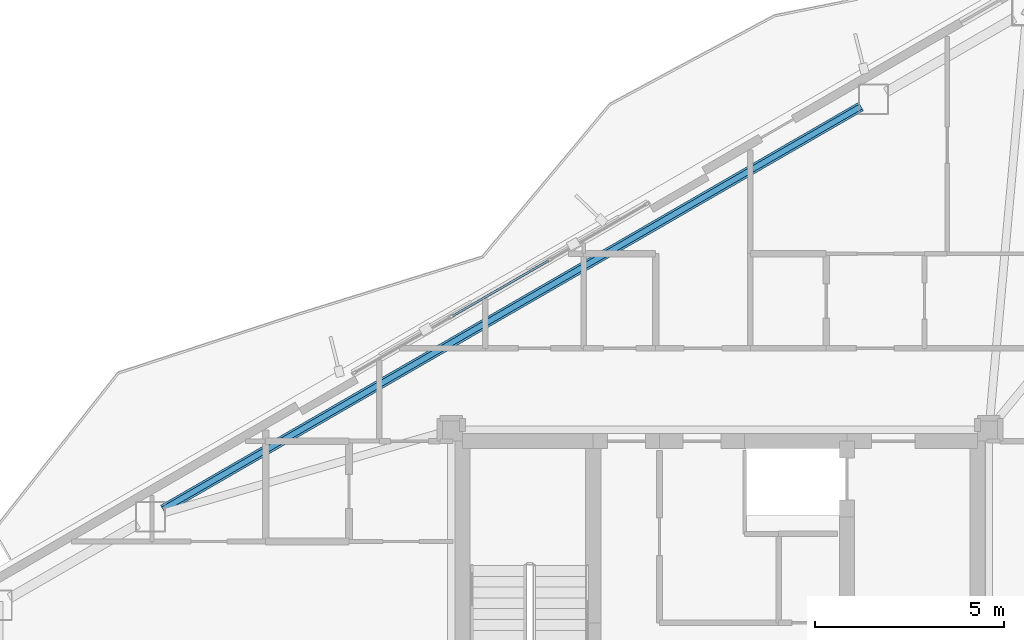
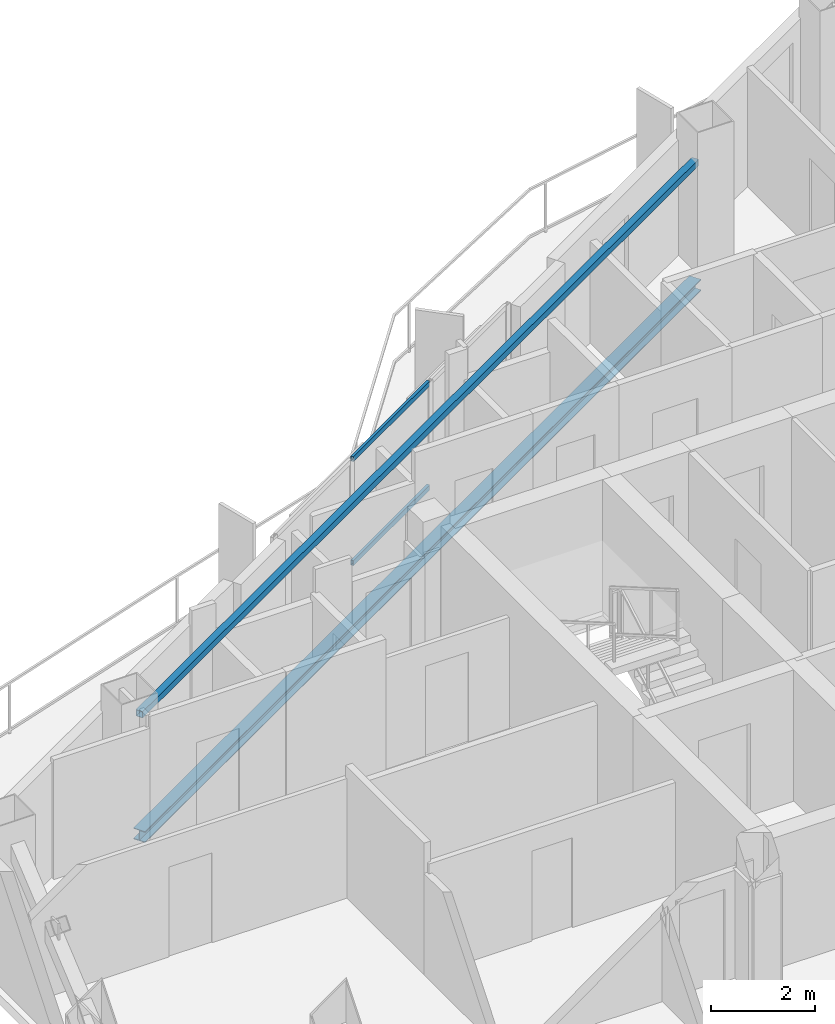
# One storey, part 9 of 22: 2 beams, 2 members, 1 element without a shape of its own.
"""IFC4 building model written with IfcOpenShell, lengths in metres."""

from ifc_helpers import new_model, si_unit, direction, frame, origin, origin_2d, place, context, subcontext, project, spatial, hollow_rectangle, i_section, extrude, material, layer, layer_set, material_profile, profile_set, type_object, element, aggregate, save


model = new_model("IFC4")

# Units and contexts
model_context = context("Model", 3, precision=1e-05, world=origin(), true_north=direction((0.0, 1.0)))
body_context = subcontext(model_context, "Body", "Model", "MODEL_VIEW")
ifc_project = project(units=[si_unit("LENGTHUNIT", "METRE"), si_unit("AREAUNIT", "SQUARE_METRE"), si_unit("VOLUMEUNIT", "CUBIC_METRE"), si_unit("PLANEANGLEUNIT", "RADIAN"), si_unit("MASSUNIT", "GRAM", prefix="KILO")], contexts=[model_context])

# Site, building, storey
site_placement = place(None, origin())
site = spatial("IfcSite", under=ifc_project, at=site_placement, CompositionType="ELEMENT")
building_placement = place(site_placement, origin())
building = spatial("IfcBuilding", under=site, at=building_placement, Name="Mersakhor Tower and Convention Hall", CompositionType="ELEMENT")
storey_placement = place(building_placement, frame((0.0, 0.0, 198.60009765625)))
storey = spatial("IfcBuildingStorey", under=building, at=storey_placement, Name="L55", CompositionType="ELEMENT", Elevation=198.60009765625)

# Beams
ifc_material_1 = material(Name="Steel S355", Category="steel")
ifc_material_profile_1 = material_profile(ifc_material_1, hollow_rectangle(XDim=0.14990234375, YDim=0.14990234375, WallThickness=0.010009765625, at=origin_2d()), Name="SHS 150x150x10")
ifc_profile_set_1 = profile_set([ifc_material_profile_1], Name="Steel S355")
beam_type_1 = type_object("IfcBeamType", Name="BM-GRT-SHS150", PredefinedType="USERDEFINED", material=ifc_profile_set_1)
beam_1_placement = place(storey_placement, frame((14.288818359375, 30.94482421875, 2.47998046875), z_axis=(0.866024569776, 0.500001444543, 0.0), x_axis=(-0.500001444543, 0.866024569776, 0.0)))
element("IfcBeam", 1, at=beam_1_placement, inside=storey, type_object=beam_type_1, Name="L55 Facade Support Girt GRT-F1", ObjectType="GIRT", PredefinedType="USERDEFINED", context=body_context, shape_type="SweptSolid", body=[
    extrude(hollow_rectangle(XDim=0.14990234375, YDim=0.14990234375, WallThickness=0.010009765625, at=origin_2d()), origin(), (0.0, 0.0, 1.0), 21.28564453125),
])
ifc_material_2 = material(Name="Steel S355", Category="steel")
ifc_material_profile_2 = material_profile(ifc_material_2, i_section(OverallWidth=0.25634765625, OverallDepth=0.26025390625, WebThickness=0.01025390625, FlangeThickness=0.017333984375, at=origin_2d()), Name="UC 254x254x89")
ifc_profile_set_2 = profile_set([ifc_material_profile_2], Name="Steel S355")
beam_type_2 = type_object("IfcBeamType", Name="BM-SPD-UC254", PredefinedType="SPANDREL", material=ifc_profile_set_2)
beam_2_placement = place(storey_placement, frame((14.288818359375, 30.94482421875, -0.360107421875), z_axis=(0.866024569776, 0.500001444543, 0.0), x_axis=(-0.500001444543, 0.866024569776, 0.0)))
element("IfcBeam", 2, at=beam_2_placement, inside=storey, type_object=beam_type_2, Name="L55 Perimeter Spandrel Beam SPB-02", PredefinedType="SPANDREL", context=body_context, shape_type="SweptSolid", body=[
    extrude(i_section(OverallWidth=0.25634765625, OverallDepth=0.26025390625, WebThickness=0.01025390625, FlangeThickness=0.017333984375, at=origin_2d()), origin(), (0.0, 0.0, 1.0), 21.28564453125),
])

# Curtain wall, members
ifc_material_3 = material(Name="Dark solar low-E aluminium curtain wall", Category="aluminium")
ifc_layer = layer(ifc_material_3, 0.169921875)
ifc_layer_set = layer_set([ifc_layer], Name="Dark solar low-E aluminium curtain wall")
curtain_wall_type = type_object("IfcCurtainWallType", Name="CW-SYS-02", PredefinedType="USERDEFINED", material=ifc_layer_set)
curtain_wall_placement = place(storey_placement, origin())
curtain_wall = element("IfcCurtainWall", 3, at=curtain_wall_placement, inside=storey, type_object=curtain_wall_type, Name="L55 Dark-Glass Curtain Wall F1-B2", ObjectType="CURTAIN WALL", PredefinedType="USERDEFINED")
ifc_material_4 = material(Name="Anodised aluminium EN AW-6063 T6", Category="aluminium")
ifc_material_profile_3 = material_profile(ifc_material_4, hollow_rectangle(XDim=0.06005859375, YDim=0.1201171875, WallThickness=0.0048828125, at=origin_2d()), Name="RHS 120x60x5")
ifc_profile_set_3 = profile_set([ifc_material_profile_3], Name="Anodised aluminium EN AW-6063 T6")
member_type = type_object("IfcMemberType", Name="CWT-120x60", PredefinedType="USERDEFINED", material=ifc_profile_set_3)
member_1_placement = place(storey_placement, frame((21.939453125, 36.0546875, 0.22998046875), z_axis=(0.866004860328, 0.500035580622, 0.0), x_axis=(-0.500035580622, 0.866004860328, 0.0)))
member_1 = element("IfcMember", 4, at=member_1_placement, type_object=member_type, Name="CW-02 transom 2.1", ObjectType="TRANSOM", PredefinedType="USERDEFINED", context=body_context, shape_type="SweptSolid", body=[
    extrude(hollow_rectangle(XDim=0.06005859375, YDim=0.1201171875, WallThickness=0.0048828125, at=origin_2d()), origin(), (0.0, 0.0, 1.0), 2.924560546875),
])
member_2_placement = place(storey_placement, frame((21.939453125, 36.0546875, 2.659912109375), z_axis=(0.866004860328, 0.500035580622, 0.0), x_axis=(-0.500035580622, 0.866004860328, 0.0)))
member_2 = element("IfcMember", 5, at=member_2_placement, type_object=member_type, Name="CW-02 transom 2.2", ObjectType="TRANSOM", PredefinedType="USERDEFINED", context=body_context, shape_type="SweptSolid", body=[
    extrude(hollow_rectangle(XDim=0.06005859375, YDim=0.1201171875, WallThickness=0.0048828125, at=origin_2d()), origin(), (0.0, 0.0, 1.0), 2.924560546875),
])
aggregate(curtain_wall, [member_1, member_2])

save(model, "model.ifc")
